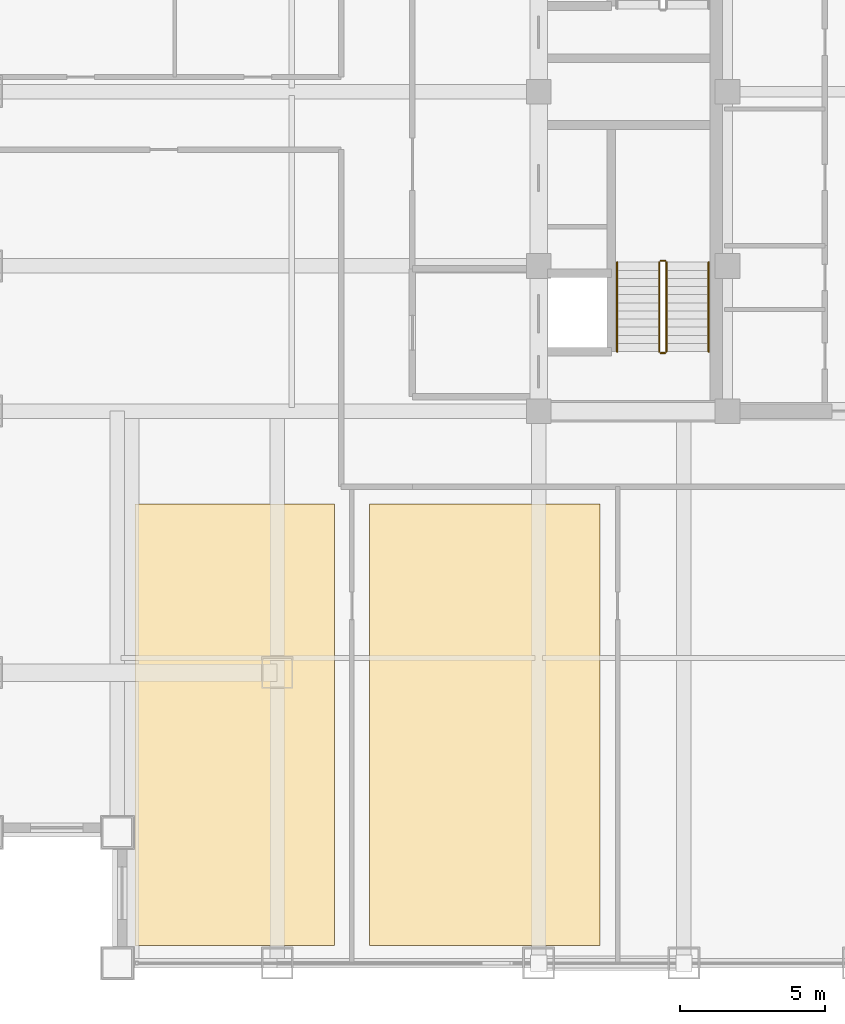
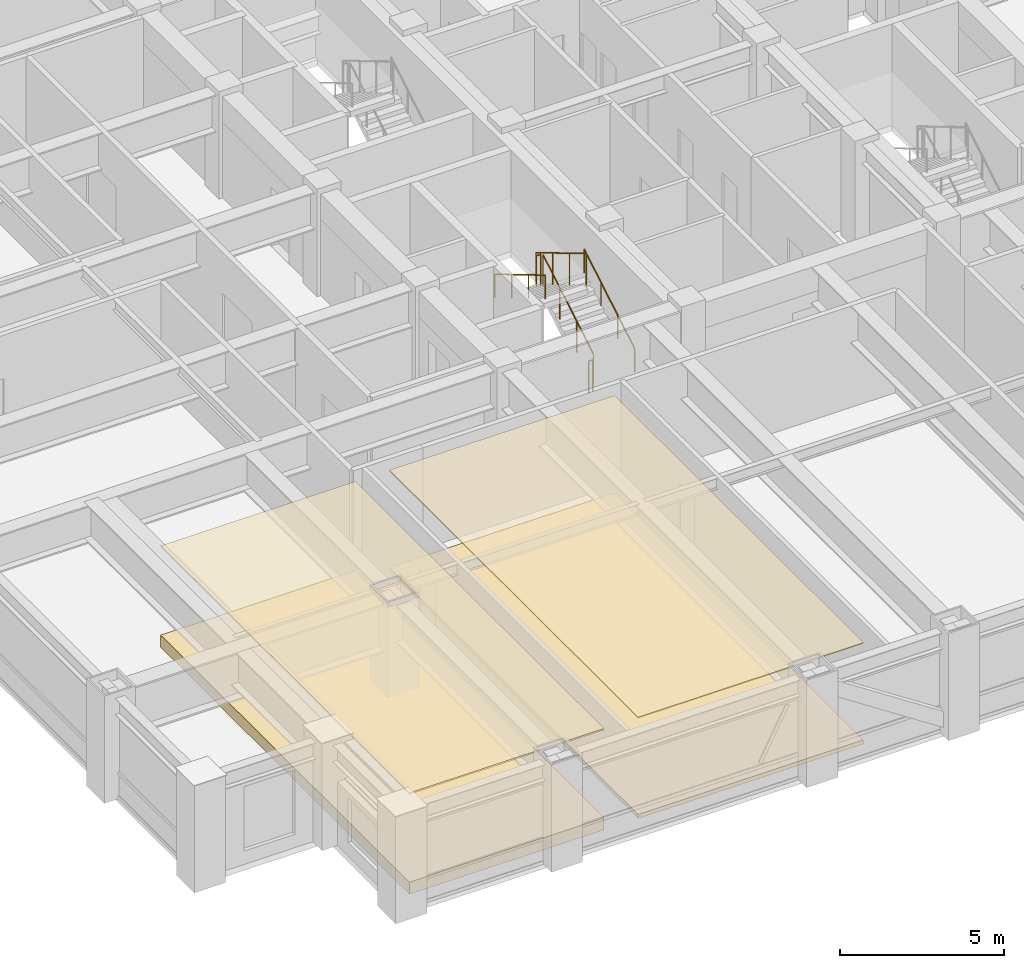
# One storey, part 25 of 26: 6 railings, 4 coverings.
"""IFC4 building model written with IfcOpenShell, lengths in metres."""

from ifc_helpers import new_model, si_unit, direction, frame, origin, origin_2d, place, context, subcontext, project, spatial, polyline, circle, outline, extrude, source, transform, mapped, material, layer, layer_set, type_object, element, save


model = new_model("IFC4")

# Units and contexts
model_context = context("Model", 3, precision=1e-05, world=origin(), true_north=direction((0.0, 1.0)))
body_context = subcontext(model_context, "Body", "Model", "MODEL_VIEW")
ifc_project = project(units=[si_unit("LENGTHUNIT", "METRE"), si_unit("AREAUNIT", "SQUARE_METRE"), si_unit("VOLUMEUNIT", "CUBIC_METRE"), si_unit("PLANEANGLEUNIT", "RADIAN"), si_unit("MASSUNIT", "GRAM", prefix="KILO")], contexts=[model_context])

# Site, building, storey
site_placement = place(None, origin())
site = spatial("IfcSite", under=ifc_project, at=site_placement, CompositionType="ELEMENT")
building_placement = place(site_placement, origin())
building = spatial("IfcBuilding", under=site, at=building_placement, Name="Khorayat Bourse Tower", CompositionType="ELEMENT")
storey_placement = place(building_placement, frame((0.0, 0.0, 207.10009765625)))
storey = spatial("IfcBuildingStorey", under=building, at=storey_placement, Name="L48", CompositionType="ELEMENT", Elevation=207.10009765625)

# Coverings
ifc_material_1 = material(Name="Mineral fibre acoustic ceiling tile")
ifc_layer_1 = layer(ifc_material_1, 0.0400390625)
ifc_layer_set_1 = layer_set([ifc_layer_1], Name="Mineral fibre acoustic ceiling tile")
covering_type_1 = type_object("IfcCoveringType", Name="COV-CEIL-ACOUSTIC", PredefinedType="CEILING", material=ifc_layer_set_1)
covering_1_placement = place(storey_placement, frame((0.0, 0.0, 3.739990234375)))
element("IfcCovering", 1, at=covering_1_placement, inside=storey, type_object=covering_type_1, Name="L48 Suspended Ceiling 2", PredefinedType="CEILING", context=body_context, shape_type="SweptSolid", body=[
    extrude(outline(polyline([(-16.830078125, -29.39990234375), (-8.884033203125, -29.39990234375), (-8.884033203125, -14.199951171875), (-16.830078125, -14.199951171875), (-16.830078125, -29.39990234375)])), origin(), (0.0, 0.0, 1.0), 0.039794921875),
])
ifc_material_2 = material(Name="Perforated aluminium acoustic ceiling", Category="aluminium")
ifc_layer_2 = layer(ifc_material_2, 0.06005859375)
ifc_layer_set_2 = layer_set([ifc_layer_2], Name="Perforated aluminium acoustic ceiling")
covering_type_2 = type_object("IfcCoveringType", Name="COV-CEIL-BAFFLE", PredefinedType="CEILING", material=ifc_layer_set_2)
covering_2_placement = place(storey_placement, frame((0.0, 0.0, 3.719970703125)))
element("IfcCovering", 2, at=covering_2_placement, inside=storey, type_object=covering_type_2, Name="L48 Suspended Ceiling 1", PredefinedType="CEILING", context=body_context, shape_type="SweptSolid", body=[
    extrude(outline(polyline([(-24.89990234375, -29.39990234375), (-18.030029296875, -29.39990234375), (-18.030029296875, -14.199951171875), (-24.89990234375, -14.199951171875), (-24.89990234375, -29.39990234375)])), origin(), (0.0, 0.0, 1.0), 0.059814453125),
])
ifc_material_3 = material(Name="Steel-encapsulated raised access floor", Category="steel")
ifc_layer_3 = layer(ifc_material_3, 0.14990234375)
ifc_layer_set_3 = layer_set([ifc_layer_3], Name="Steel-encapsulated raised access floor")
covering_type_3 = type_object("IfcCoveringType", Name="COV-RAF-OFFICE", PredefinedType="FLOORING", material=ifc_layer_set_3)
covering_3_placement = place(storey_placement, origin())
element("IfcCovering", 3, at=covering_3_placement, inside=storey, type_object=covering_type_3, Name="L48 Raised Access Floor 2", PredefinedType="FLOORING", context=body_context, shape_type="SweptSolid", body=[
    extrude(outline(polyline([(-16.830078125, -29.39990234375), (-8.884033203125, -29.39990234375), (-8.884033203125, -14.199951171875), (-16.830078125, -14.199951171875), (-16.830078125, -29.39990234375)])), origin(), (0.0, 0.0, 1.0), 0.14990234375),
])
ifc_material_4 = material(Name="Calcium-sulphate raised access floor")
ifc_layer_4 = layer(ifc_material_4, 0.449951171875)
ifc_layer_set_4 = layer_set([ifc_layer_4], Name="Calcium-sulphate raised access floor")
covering_type_4 = type_object("IfcCoveringType", Name="COV-RAF-TRADING", PredefinedType="FLOORING", material=ifc_layer_set_4)
covering_4_placement = place(storey_placement, origin())
element("IfcCovering", 4, at=covering_4_placement, inside=storey, type_object=covering_type_4, Name="L48 Raised Access Floor 1", PredefinedType="FLOORING", context=body_context, shape_type="SweptSolid", body=[
    extrude(outline(polyline([(-24.89990234375, -29.39990234375), (-18.030029296875, -29.39990234375), (-18.030029296875, -14.199951171875), (-24.89990234375, -14.199951171875), (-24.89990234375, -29.39990234375)])), origin(), (0.0, 0.0, 1.0), 0.449951171875),
])

# Railings
ifc_material_5 = material(Name="Powder-coated steel balustrade", Category="steel")
railing_type_1 = type_object("IfcRailingType", Name="RLG-GUARD-1200", PredefinedType="GUARDRAIL", material=ifc_material_5)
shared_shape_1 = source(origin(), body_context, "Body", "SweptSolid", [
    extrude(circle(Radius=0.02392578125, at=origin_2d()), frame((0.0, 0.0, 1.17578125), z_axis=(-1.0, 0.0, 0.0), x_axis=(0.0, -1.0, 0.0)), (0.0, 0.0, 1.0), 0.150146484375),
    extrude(circle(Radius=0.02099609375, at=origin_2d()), origin(), (0.0, 0.0, 1.0), 1.15185546875),
    extrude(circle(Radius=0.02099609375, at=origin_2d()), frame((-0.150146484375, 0.0, 0.0)), (0.0, 0.0, 1.0), 1.15185546875),
])
for number, where, name in (
    (5, (-6.64990234375, -5.820068359375, 2.0), "L48 ST-1 stair guard 2"),
    (6, (-6.64990234375, -9.0, 0.0), "L48 ST-1 stair guard 4"),
):
    element("IfcRailing", number, at=place(storey_placement, frame(where)), inside=storey, type_object=railing_type_1, Name=name, PredefinedType="GUARDRAIL", context=body_context, shape_type="MappedRepresentation", body=[
        mapped(shared_shape_1, transform((0.0, 0.0, 0.0), scale=1.0)),
    ])
shared_shape_2 = source(origin(), body_context, "Body", "SweptSolid", [
    extrude(circle(Radius=0.02392578125, at=origin_2d()), frame((0.0, 0.0, 1.17578125), z_axis=(0.0, 0.859260807169, 0.511537745687), x_axis=(-1.0, 0.0, 0.0)), (0.0, 0.0, 1.0), 3.584228515625),
    extrude(circle(Radius=0.02099609375, at=origin_2d()), origin(), (0.0, 0.0, 1.0), 1.15185546875),
    extrude(circle(Radius=0.02099609375, at=origin_2d()), frame((0.0, 1.026611328125, 0.611083984375)), (0.0, 0.0, 1.0), 1.15185546875),
    extrude(circle(Radius=0.02099609375, at=origin_2d()), frame((0.0, 2.05322265625, 1.222412109375)), (0.0, 0.0, 1.0), 1.15185546875),
    extrude(circle(Radius=0.02099609375, at=origin_2d()), frame((0.0, 3.079833984375, 1.83349609375)), (0.0, 0.0, 1.0), 1.15185546875),
])
railing_1_placement = place(storey_placement, frame((-6.60009765625, -8.949951171875, 0.16650390625)))
element("IfcRailing", 7, at=railing_1_placement, inside=storey, type_object=railing_type_1, Name="L48 ST-1 stair guard 1", PredefinedType="GUARDRAIL", context=body_context, shape_type="MappedRepresentation", body=[
    mapped(shared_shape_2, transform((0.0, 0.0, 0.0), scale=1.0)),
])
shared_shape_3 = source(origin(), body_context, "Body", "SweptSolid", [
    extrude(circle(Radius=0.02392578125, at=origin_2d()), frame((0.0, 0.0, 1.17578125), z_axis=(0.0, -0.859260807169, 0.511537745687), x_axis=(1.0, 0.0, 0.0)), (0.0, 0.0, 1.0), 3.584228515625),
    extrude(circle(Radius=0.02099609375, at=origin_2d()), origin(), (0.0, 0.0, 1.0), 1.15185546875),
    extrude(circle(Radius=0.02099609375, at=origin_2d()), frame((0.0, -1.026611328125, 0.611083984375)), (0.0, 0.0, 1.0), 1.15185546875),
    extrude(circle(Radius=0.02099609375, at=origin_2d()), frame((0.0, -2.05322265625, 1.222412109375)), (0.0, 0.0, 1.0), 1.15185546875),
    extrude(circle(Radius=0.02099609375, at=origin_2d()), frame((0.0, -3.079833984375, 1.83349609375)), (0.0, 0.0, 1.0), 1.15185546875),
])
railing_2_placement = place(storey_placement, frame((-6.85009765625, -5.8701171875, 2.16650390625)))
element("IfcRailing", 8, at=railing_2_placement, inside=storey, type_object=railing_type_1, Name="L48 ST-1 stair guard 3", PredefinedType="GUARDRAIL", context=body_context, shape_type="MappedRepresentation", body=[
    mapped(shared_shape_3, transform((0.0, 0.0, 0.0), scale=1.0)),
])
ifc_material_6 = material(Name="Brushed bronze stainless-steel handrail", Category="steel")
railing_type_2 = type_object("IfcRailingType", Name="RLG-HAND-900", PredefinedType="HANDRAIL", material=ifc_material_6)
shared_shape_4 = source(origin(), body_context, "Body", "SweptSolid", [
    extrude(circle(Radius=0.02392578125, at=origin_2d()), frame((0.0, 0.0, 0.8759765625), z_axis=(0.0, 0.859260807169, 0.511537745687), x_axis=(-1.0, 0.0, 0.0)), (0.0, 0.0, 1.0), 3.584228515625),
    extrude(circle(Radius=0.02099609375, at=origin_2d()), origin(), (0.0, 0.0, 1.0), 0.851806640625),
    extrude(circle(Radius=0.02099609375, at=origin_2d()), frame((0.0, 1.026611328125, 0.611083984375)), (0.0, 0.0, 1.0), 0.851806640625),
    extrude(circle(Radius=0.02099609375, at=origin_2d()), frame((0.0, 2.05322265625, 1.222412109375)), (0.0, 0.0, 1.0), 0.851806640625),
    extrude(circle(Radius=0.02099609375, at=origin_2d()), frame((0.0, 3.079833984375, 1.83349609375)), (0.0, 0.0, 1.0), 0.851806640625),
])
railing_3_placement = place(storey_placement, frame((-5.14990234375, -8.949951171875, 0.16650390625)))
element("IfcRailing", 9, at=railing_3_placement, inside=storey, type_object=railing_type_2, Name="L48 ST-1 stair handrail 1", PredefinedType="HANDRAIL", context=body_context, shape_type="MappedRepresentation", body=[
    mapped(shared_shape_4, transform((0.0, 0.0, 0.0), scale=1.0)),
])
shared_shape_5 = source(origin(), body_context, "Body", "SweptSolid", [
    extrude(circle(Radius=0.02392578125, at=origin_2d()), frame((0.0, 0.0, 0.8759765625), z_axis=(0.0, -0.859260807169, 0.511537745687), x_axis=(1.0, 0.0, 0.0)), (0.0, 0.0, 1.0), 3.584228515625),
    extrude(circle(Radius=0.02099609375, at=origin_2d()), origin(), (0.0, 0.0, 1.0), 0.851806640625),
    extrude(circle(Radius=0.02099609375, at=origin_2d()), frame((0.0, -1.026611328125, 0.611083984375)), (0.0, 0.0, 1.0), 0.851806640625),
    extrude(circle(Radius=0.02099609375, at=origin_2d()), frame((0.0, -2.05322265625, 1.222412109375)), (0.0, 0.0, 1.0), 0.851806640625),
    extrude(circle(Radius=0.02099609375, at=origin_2d()), frame((0.0, -3.079833984375, 1.83349609375)), (0.0, 0.0, 1.0), 0.851806640625),
])
railing_4_placement = place(storey_placement, frame((-8.300048828125, -5.8701171875, 2.16650390625)))
element("IfcRailing", 10, at=railing_4_placement, inside=storey, type_object=railing_type_2, Name="L48 ST-1 stair handrail 2", PredefinedType="HANDRAIL", context=body_context, shape_type="MappedRepresentation", body=[
    mapped(shared_shape_5, transform((0.0, 0.0, 0.0), scale=1.0)),
])

save(model, "model.ifc")
